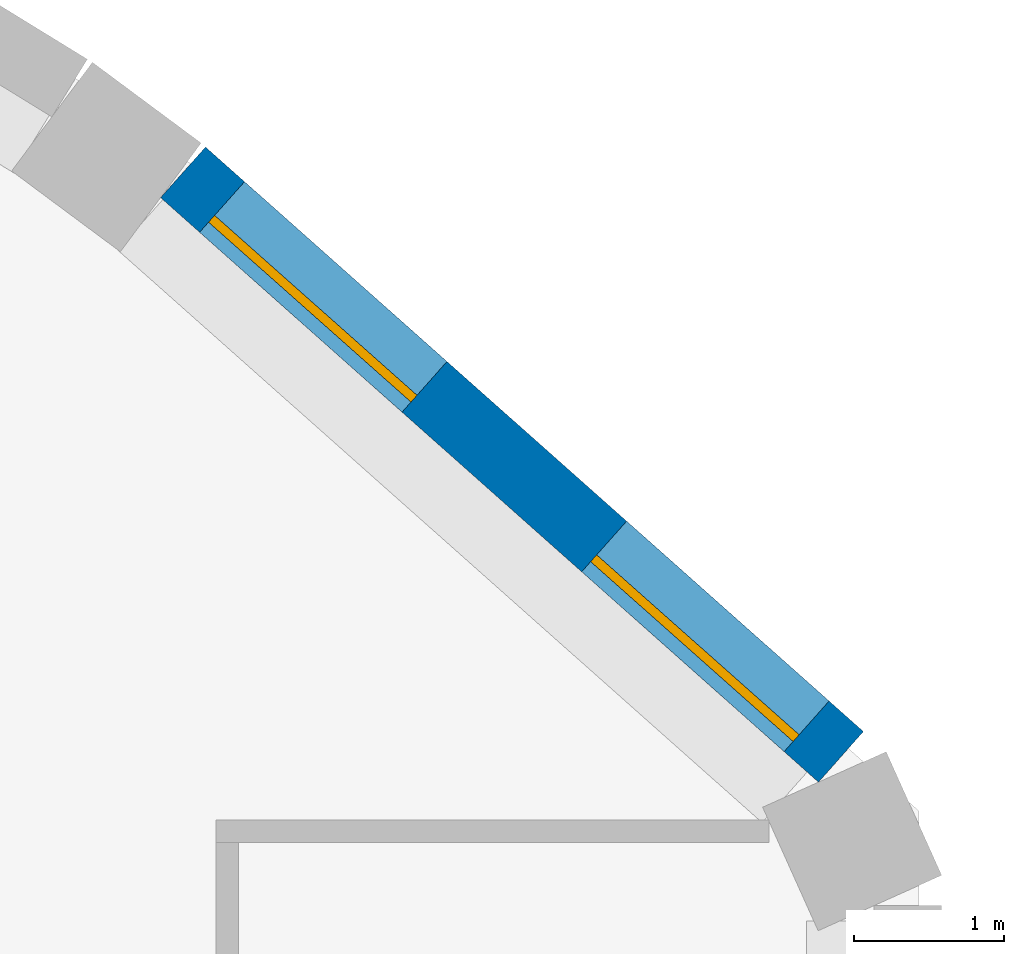
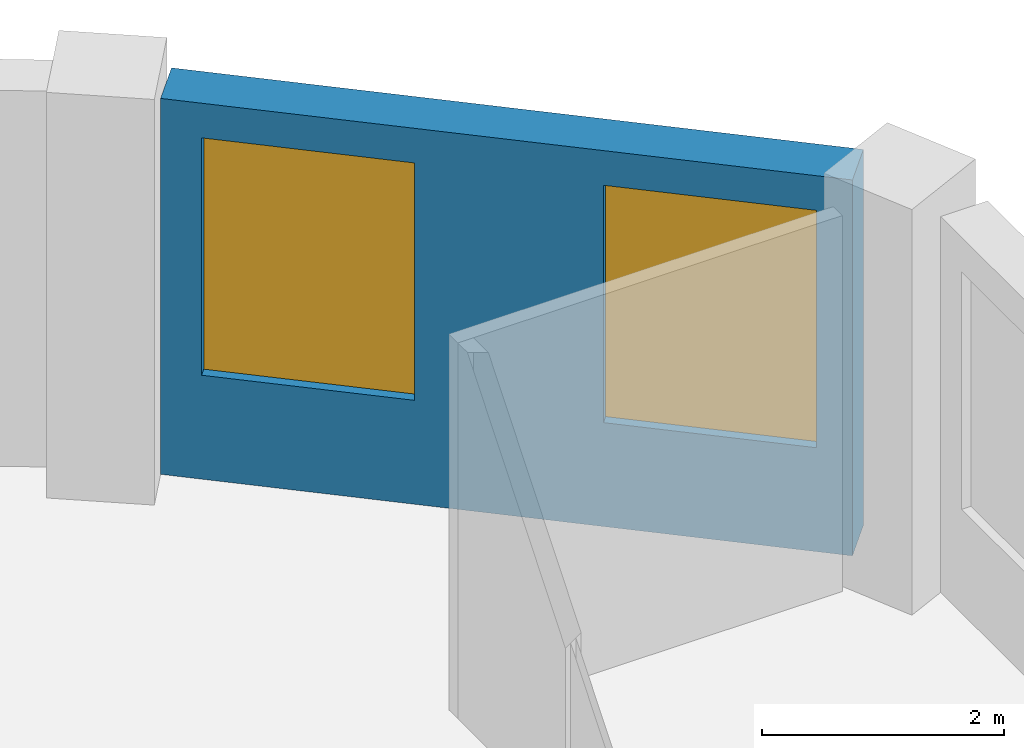
# One storey, part 8 of 15: 2 windows, 1 wall, 2 openings.
"""IFC4 building model written with IfcOpenShell, lengths in metres."""

from ifc_helpers import new_model, si_unit, direction, frame, frame_2d, origin, place, context, subcontext, project, spatial, rectangle, extrude, material, layer, layer_set, type_object, element, fill, save


model = new_model("IFC4")

# Units and contexts
model_context = context("Model", 3, precision=1e-05, world=origin(), true_north=direction((0.0, 1.0)))
body_context = subcontext(model_context, "Body", "Model", "MODEL_VIEW")
ifc_project = project(units=[si_unit("LENGTHUNIT", "METRE"), si_unit("AREAUNIT", "SQUARE_METRE"), si_unit("VOLUMEUNIT", "CUBIC_METRE"), si_unit("PLANEANGLEUNIT", "RADIAN"), si_unit("MASSUNIT", "GRAM", prefix="KILO")], contexts=[model_context])

# Site, building, storey
site_placement = place(None, origin())
site = spatial("IfcSite", under=ifc_project, at=site_placement, CompositionType="ELEMENT")
building_placement = place(site_placement, origin())
building = spatial("IfcBuilding", under=site, at=building_placement, Name="Cypress Arch Tower", CompositionType="ELEMENT")
storey_placement = place(building_placement, frame((0.0, 0.0, 317.199951171875)))
storey = spatial("IfcBuildingStorey", under=building, at=storey_placement, Name="L72", CompositionType="ELEMENT", Elevation=317.199951171875)

# Wall, openings, windows
ifc_material_1 = material(Name="Brick (red buff blend)", Category="masonry")
ifc_layer = layer(ifc_material_1, 0.449951171875)
ifc_layer_set = layer_set([ifc_layer], Name="Brick pier and spandrel wall BW450")
wall_type = type_object("IfcWallType", Name="Brick pier and spandrel wall BW450", PredefinedType="SOLIDWALL", material=ifc_layer_set)
wall_placement = place(storey_placement, frame((24.08056640625, 14.361083984375, 0.0), z_axis=(0.0, 0.0, 1.0), x_axis=(-0.747570482973, 0.664182484704, 0.0)))
wall = element("IfcWall", 1, at=wall_placement, inside=storey, type_object=wall_type, Name="Brick wall L72 C18.0", PredefinedType="SOLIDWALL", context=body_context, shape_type="SweptSolid", body=[
    extrude(rectangle(XDim=5.849609375, YDim=0.449951171875, at=frame_2d((2.9248046875, 0.0))), origin(), (0.0, 0.0, 1.0), 3.800048828125),
])
opening_1_placement = place(wall_placement, frame((0.305419921875, 0.0, 1.050048828125)))
opening_1 = element("IfcOpeningElement", 2, at=opening_1_placement, cuts=wall, Name="Opening W180O", PredefinedType="OPENING", context=body_context, shape_type="SweptSolid", body=[
    extrude(rectangle(XDim=1.800048828125, YDim=2.39990234375, at=frame_2d((0.89990234375, 1.199951171875))), frame((0.0, 0.23486328125, 0.0), z_axis=(0.0, -1.0, 0.0), x_axis=(1.0, 0.0, 0.0)), (0.0, 0.0, 1.0), 0.469970703125),
])
opening_2_placement = place(wall_placement, frame((3.702880859375, 0.0, 1.050048828125)))
opening_2 = element("IfcOpeningElement", 3, at=opening_2_placement, cuts=wall, Name="Opening W180O", PredefinedType="OPENING", context=body_context, shape_type="SweptSolid", body=[
    extrude(rectangle(XDim=1.800048828125, YDim=2.39990234375, at=frame_2d((0.89990234375, 1.199951171875))), frame((0.0, 0.23486328125, 0.0), z_axis=(0.0, -1.0, 0.0), x_axis=(1.0, 0.0, 0.0)), (0.0, 0.0, 1.0), 0.469970703125),
])
ifc_material_2 = material(Name="Anodised aluminium, bronze finish, clear low-emissivity double glazing", Category="aluminium")
window_type = type_object("IfcWindowType", Name="Window Office 1800x2400", PartitioningType="SINGLE_PANEL", PredefinedType="WINDOW", material=ifc_material_2)
window_1_placement = place(opening_1_placement, origin())
window_1 = element("IfcWindow", 4, at=window_1_placement, inside=storey, type_object=window_type, Name="Window L72 C18.0.1", OverallHeight=2.39990234375, OverallWidth=1.800048828125, PartitioningType="SINGLE_PANEL", PredefinedType="WINDOW", context=body_context, shape_type="SweptSolid", body=[
    extrude(rectangle(XDim=1.800048828125, YDim=2.39990234375, at=frame_2d((0.89990234375, 1.199951171875))), frame((0.0, 0.135009765625, 0.0), z_axis=(0.0, -1.0, 0.0), x_axis=(1.0, 0.0, 0.0)), (0.0, 0.0, 1.0), 0.06005859375),
])
fill(opening_1, window_1)
window_2_placement = place(opening_2_placement, origin())
window_2 = element("IfcWindow", 5, at=window_2_placement, inside=storey, type_object=window_type, Name="Window L72 C18.0.2", OverallHeight=2.39990234375, OverallWidth=1.800048828125, PartitioningType="SINGLE_PANEL", PredefinedType="WINDOW", context=body_context, shape_type="SweptSolid", body=[
    extrude(rectangle(XDim=1.800048828125, YDim=2.39990234375, at=frame_2d((0.89990234375, 1.199951171875))), frame((0.0, 0.135009765625, 0.0), z_axis=(0.0, -1.0, 0.0), x_axis=(1.0, 0.0, 0.0)), (0.0, 0.0, 1.0), 0.06005859375),
])
fill(opening_2, window_2)

save(model, "model.ifc")
